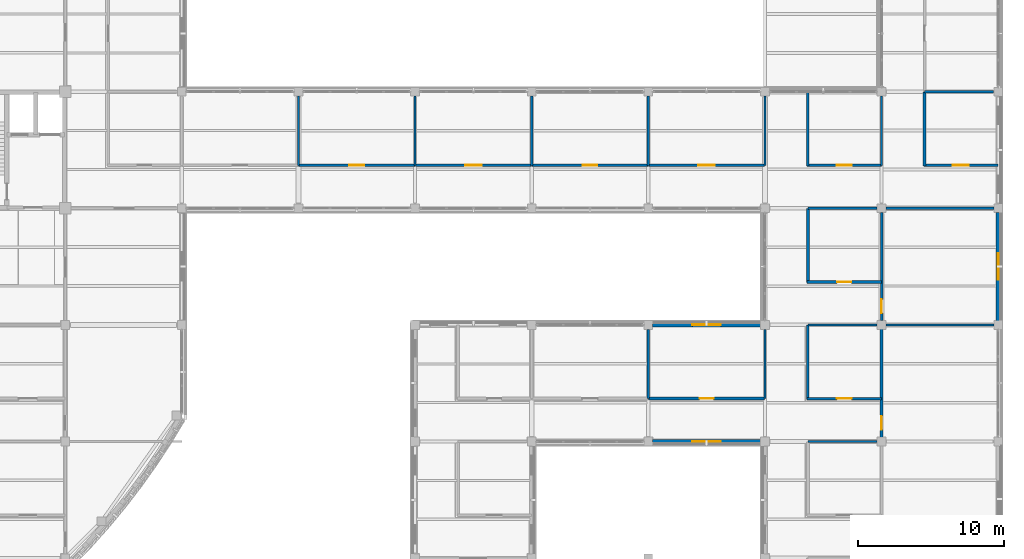
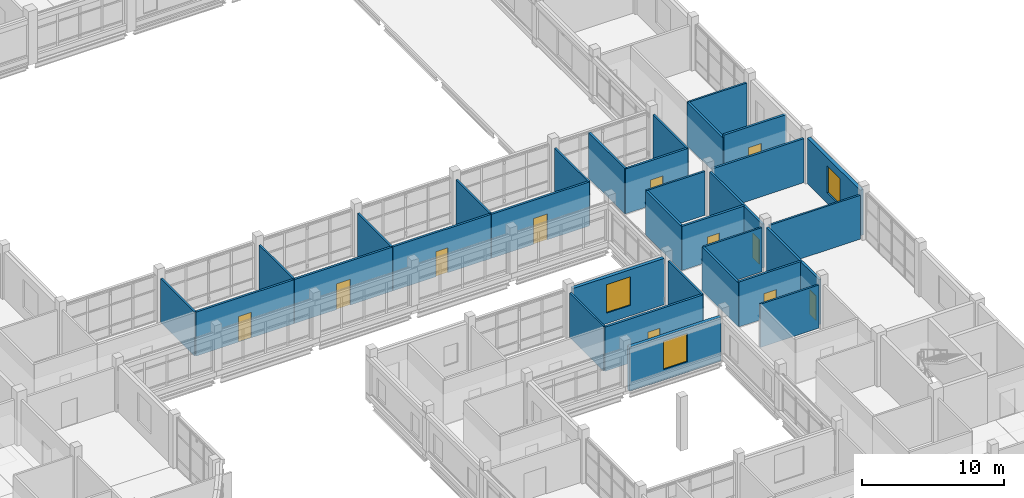
# One storey, part 94 of 121: 32 walls, 11 doors, 3 windows, 14 openings.
"""IFC4 building model written with IfcOpenShell, lengths in metres."""

from ifc_helpers import new_model, si_unit, derived_unit, direction, frame, frame_2d, origin, place, context, subcontext, project, spatial, rectangle, extrude, material, layer, layer_set, type_object, element, fill, save


model = new_model("IFC4")

# Units and contexts
model_context = context("Model", 3, precision=1e-05, world=origin(), true_north=direction((0.0, 1.0)))
body_context = subcontext(model_context, "Body", "Model", "MODEL_VIEW")
ifc_project = project(units=[si_unit("LENGTHUNIT", "METRE"), si_unit("AREAUNIT", "SQUARE_METRE"), si_unit("VOLUMEUNIT", "CUBIC_METRE"), si_unit("PLANEANGLEUNIT", "RADIAN"), si_unit("MASSUNIT", "GRAM", prefix="KILO"), derived_unit("THERMALTRANSMITTANCEUNIT", [(si_unit("MASSUNIT", "GRAM", prefix="KILO"), 1), (si_unit("TIMEUNIT", "SECOND"), -3), (si_unit("THERMODYNAMICTEMPERATUREUNIT", "KELVIN"), -1)])], contexts=[model_context])

# Site, building, storey
site_placement = place(None, origin())
site = spatial("IfcSite", under=ifc_project, at=site_placement, CompositionType="ELEMENT")
building_placement = place(site_placement, origin())
building = spatial("IfcBuilding", under=site, at=building_placement, Name="Veyamyaing Civic Hall", CompositionType="ELEMENT")
storey_placement = place(building_placement, frame((0.0, 0.0, 5.280029296875)))
storey = spatial("IfcBuildingStorey", under=building, at=storey_placement, Name="L01", CompositionType="ELEMENT", Elevation=5.280029296875)

# Wall, opening, window
ifc_material_1 = material(Name="Precast concrete C40/50", Category="concrete")
ifc_layer_1 = layer(ifc_material_1, 0.280029296875, Name="Precast concrete C40/50")
ifc_layer_set_1 = layer_set([ifc_layer_1], Name="Precast concrete C40/50")
wall_type_1 = type_object("IfcWallType", Name="WT-04", PredefinedType="SOLIDWALL", material=ifc_layer_set_1)
wall_1_placement = place(storey_placement, frame((176.0, 40.284912109375, 0.0), z_axis=(0.0, 0.0, 1.0), x_axis=(0.0, 1.0, 0.0)))
wall_1 = element("IfcWall", 1, at=wall_1_placement, inside=storey, type_object=wall_type_1, Name="Exterior facade wall WT-04 L01 E 22.6", PredefinedType="SOLIDWALL", context=body_context, shape_type="SweptSolid", body=[
    extrude(rectangle(XDim=7.43017578125, YDim=0.280029296875, at=frame_2d((3.715087890625, 0.0))), origin(), (0.0, 0.0, 1.0), 3.909912109375),
])
opening_1_placement = place(wall_1_placement, frame((2.81494140625, 0.0, 0.89990234375)))
opening_1 = element("IfcOpeningElement", 2, at=opening_1_placement, cuts=wall_1, Name="Opening W-06", PredefinedType="OPENING", context=body_context, shape_type="SweptSolid", body=[
    extrude(rectangle(XDim=1.800048828125, YDim=2.300048828125, at=frame_2d((0.89990234375, 1.14990234375))), frame((0.0, 0.14990234375, 0.0), z_axis=(0.0, -1.0, 0.0), x_axis=(1.0, 0.0, 0.0)), (0.0, 0.0, 1.0), 0.300048828125),
])
ifc_material_2 = material(Name="Low-E insulated glass", Category="glass")
window_type_1 = type_object("IfcWindowType", Name="W-06", PartitioningType="SINGLE_PANEL", PredefinedType="WINDOW", material=ifc_material_2)
window_1_placement = place(opening_1_placement, origin())
window_1 = element("IfcWindow", 3, at=window_1_placement, inside=storey, type_object=window_type_1, Name="Facade window W-06 L01 E 22.6", OverallHeight=2.300048828125, OverallWidth=1.800048828125, PartitioningType="SINGLE_PANEL", PredefinedType="WINDOW", context=body_context, shape_type="SweptSolid", body=[
    extrude(rectangle(XDim=1.800048828125, YDim=2.300048828125, at=frame_2d((0.89990234375, 1.14990234375))), frame((0.0, 0.030029296875, 0.0), z_axis=(0.0, -1.0, 0.0), x_axis=(1.0, 0.0, 0.0)), (0.0, 0.0, 1.0), 0.06005859375),
])
fill(opening_1, window_1)

# Wall, opening, door
ifc_material_3 = material(Name="Gypsum board on acoustic steel stud", Category="steel")
ifc_layer_2 = layer(ifc_material_3, 0.175048828125, Name="Gypsum board on acoustic steel stud")
ifc_layer_set_2 = layer_set([ifc_layer_2], Name="Gypsum board on acoustic steel stud")
wall_type_2 = type_object("IfcWallType", Name="WT-07", PredefinedType="PARTITIONING", material=ifc_layer_set_2)
wall_2_placement = place(storey_placement, frame((128.02001953125, 50.949951171875, 0.0), z_axis=(0.0, 0.0, 1.0), x_axis=(1.0, 0.0, 0.0)))
wall_2 = element("IfcWall", 4, at=wall_2_placement, inside=storey, type_object=wall_type_2, Name="Corridor gallery partition WT-07 L01.61.1", PredefinedType="PARTITIONING", context=body_context, shape_type="SweptSolid", body=[
    extrude(rectangle(XDim=7.9599609375, YDim=0.175048828125, at=frame_2d((3.97998046875, 0.0))), origin(), (0.0, 0.0, 1.0), 3.781005859375),
])
opening_2_placement = place(wall_2_placement, frame((3.469970703125, 0.0, 0.0)))
opening_2 = element("IfcOpeningElement", 5, at=opening_2_placement, cuts=wall_2, Name="Opening D-19", PredefinedType="OPENING", context=body_context, shape_type="SweptSolid", body=[
    extrude(rectangle(XDim=1.02001953125, YDim=2.199951171875, at=frame_2d((0.510009765625, 1.10009765625))), frame((0.0, 0.097412109375, 0.0), z_axis=(0.0, -1.0, 0.0), x_axis=(1.0, 0.0, 0.0)), (0.0, 0.0, 1.0), 0.195068359375),
])
ifc_material_4 = material(Name="Teak-veneered acoustic timber", Category="wood")
door_type_1 = type_object("IfcDoorType", Name="D-19", OperationType="NOTDEFINED", PredefinedType="DOOR", material=ifc_material_4)
door_1_placement = place(opening_2_placement, origin())
door_1 = element("IfcDoor", 6, at=door_1_placement, inside=storey, type_object=door_type_1, Name="Gallery office door D-19 L01.61", OperationType="SINGLE_SWING_LEFT", OverallHeight=2.199951171875, OverallWidth=1.02001953125, PredefinedType="DOOR", context=body_context, shape_type="SweptSolid", body=[
    extrude(rectangle(XDim=1.02001953125, YDim=2.199951171875, at=frame_2d((0.510009765625, 1.10009765625))), frame((0.0, 0.02490234375, 0.0), z_axis=(0.0, -1.0, 0.0), x_axis=(1.0, 0.0, 0.0)), (0.0, 0.0, 1.0), 0.050048828125),
])
fill(opening_2, door_1)

wall_3_placement = place(storey_placement, frame((136.02001953125, 50.949951171875, 0.0), z_axis=(0.0, 0.0, 1.0), x_axis=(1.0, 0.0, 0.0)))
wall_3 = element("IfcWall", 7, at=wall_3_placement, inside=storey, type_object=wall_type_2, Name="Corridor gallery partition WT-07 L01.65.1", PredefinedType="PARTITIONING", context=body_context, shape_type="SweptSolid", body=[
    extrude(rectangle(XDim=7.9599609375, YDim=0.175048828125, at=frame_2d((3.97998046875, 0.0))), origin(), (0.0, 0.0, 1.0), 3.786865234375),
])
opening_3_placement = place(wall_3_placement, frame((3.419921875, 0.0, 0.0)))
opening_3 = element("IfcOpeningElement", 8, at=opening_3_placement, cuts=wall_3, Name="Opening D-26", PredefinedType="OPENING", context=body_context, shape_type="SweptSolid", body=[
    extrude(rectangle(XDim=1.1201171875, YDim=2.219970703125, at=frame_2d((0.56005859375, 1.10986328125))), frame((0.0, 0.097412109375, 0.0), z_axis=(0.0, -1.0, 0.0), x_axis=(1.0, 0.0, 0.0)), (0.0, 0.0, 1.0), 0.195068359375),
])
door_type_2 = type_object("IfcDoorType", Name="D-26", OperationType="NOTDEFINED", PredefinedType="DOOR", material=ifc_material_4)
door_2_placement = place(opening_3_placement, origin())
door_2 = element("IfcDoor", 9, at=door_2_placement, inside=storey, type_object=door_type_2, Name="Gallery office door D-26 L01.65", OperationType="SINGLE_SWING_LEFT", OverallHeight=2.219970703125, OverallWidth=1.1201171875, PredefinedType="DOOR", context=body_context, shape_type="SweptSolid", body=[
    extrude(rectangle(XDim=1.1201171875, YDim=2.219970703125, at=frame_2d((0.56005859375, 1.10986328125))), frame((0.0, 0.02490234375, 0.0), z_axis=(0.0, -1.0, 0.0), x_axis=(1.0, 0.0, 0.0)), (0.0, 0.0, 1.0), 0.050048828125),
])
fill(opening_3, door_2)

wall_4_placement = place(storey_placement, frame((144.02001953125, 50.949951171875, 0.0), z_axis=(0.0, 0.0, 1.0), x_axis=(1.0, 0.0, 0.0)))
wall_4 = element("IfcWall", 10, at=wall_4_placement, inside=storey, type_object=wall_type_2, Name="Corridor gallery partition WT-07 L01.69.1", PredefinedType="PARTITIONING", context=body_context, shape_type="SweptSolid", body=[
    extrude(rectangle(XDim=7.9599609375, YDim=0.175048828125, at=frame_2d((3.97998046875, 0.0))), origin(), (0.0, 0.0, 1.0), 3.786865234375),
])
opening_4_placement = place(wall_4_placement, frame((3.47998046875, 0.0, 0.0)))
opening_4 = element("IfcOpeningElement", 11, at=opening_4_placement, cuts=wall_4, Name="Opening D-13", PredefinedType="OPENING", context=body_context, shape_type="SweptSolid", body=[
    extrude(rectangle(XDim=1.0, YDim=2.14990234375, at=frame_2d((0.5, 1.074951171875))), frame((0.0, 0.097412109375, 0.0), z_axis=(0.0, -1.0, 0.0), x_axis=(1.0, 0.0, 0.0)), (0.0, 0.0, 1.0), 0.195068359375),
])
door_type_3 = type_object("IfcDoorType", Name="D-13", OperationType="NOTDEFINED", PredefinedType="DOOR", material=ifc_material_4)
door_3_placement = place(opening_4_placement, origin())
door_3 = element("IfcDoor", 12, at=door_3_placement, inside=storey, type_object=door_type_3, Name="Gallery office door D-13 L01.69", OperationType="SINGLE_SWING_LEFT", OverallHeight=2.14990234375, OverallWidth=1.0, PredefinedType="DOOR", context=body_context, shape_type="SweptSolid", body=[
    extrude(rectangle(XDim=1.0, YDim=2.14990234375, at=frame_2d((0.5, 1.074951171875))), frame((0.0, 0.02490234375, 0.0), z_axis=(0.0, -1.0, 0.0), x_axis=(1.0, 0.0, 0.0)), (0.0, 0.0, 1.0), 0.050048828125),
])
fill(opening_4, door_3)

wall_5_placement = place(storey_placement, frame((152.02001953125, 50.949951171875, 0.0), z_axis=(0.0, 0.0, 1.0), x_axis=(1.0, 0.0, 0.0)))
wall_5 = element("IfcWall", 13, at=wall_5_placement, inside=storey, type_object=wall_type_2, Name="Corridor gallery partition WT-07 L01.75.1", PredefinedType="PARTITIONING", context=body_context, shape_type="SweptSolid", body=[
    extrude(rectangle(XDim=7.9599609375, YDim=0.175048828125, at=frame_2d((3.97998046875, 0.0))), origin(), (0.0, 0.0, 1.0), 3.781005859375),
])
opening_5_placement = place(wall_5_placement, frame((3.419921875, 0.0, 0.0)))
opening_5 = element("IfcOpeningElement", 14, at=opening_5_placement, cuts=wall_5, Name="Opening D-26", PredefinedType="OPENING", context=body_context, shape_type="SweptSolid", body=[
    extrude(rectangle(XDim=1.1201171875, YDim=2.219970703125, at=frame_2d((0.56005859375, 1.10986328125))), frame((0.0, 0.097412109375, 0.0), z_axis=(0.0, -1.0, 0.0), x_axis=(1.0, 0.0, 0.0)), (0.0, 0.0, 1.0), 0.195068359375),
])
door_4_placement = place(opening_5_placement, origin())
door_4 = element("IfcDoor", 15, at=door_4_placement, inside=storey, type_object=door_type_2, Name="Gallery office door D-26 L01.75", OperationType="SINGLE_SWING_LEFT", OverallHeight=2.219970703125, OverallWidth=1.1201171875, PredefinedType="DOOR", context=body_context, shape_type="SweptSolid", body=[
    extrude(rectangle(XDim=1.1201171875, YDim=2.219970703125, at=frame_2d((0.56005859375, 1.10986328125))), frame((0.0, 0.02490234375, 0.0), z_axis=(0.0, -1.0, 0.0), x_axis=(1.0, 0.0, 0.0)), (0.0, 0.0, 1.0), 0.050048828125),
])
fill(opening_5, door_4)

wall_6_placement = place(storey_placement, frame((162.89990234375, 34.949951171875, 0.0), z_axis=(0.0, 0.0, 1.0), x_axis=(1.0, 0.0, 0.0)))
wall_6 = element("IfcWall", 16, at=wall_6_placement, inside=storey, type_object=wall_type_2, Name="Corridor gallery partition WT-07 L01.79.1", PredefinedType="PARTITIONING", context=body_context, shape_type="SweptSolid", body=[
    extrude(rectangle(XDim=5.080078125, YDim=0.175048828125, at=frame_2d((2.5400390625, 0.0))), origin(), (0.0, 0.0, 1.0), 3.85693359375),
])
opening_6_placement = place(wall_6_placement, frame((2.0400390625, 0.0, 0.0)))
opening_6 = element("IfcOpeningElement", 17, at=opening_6_placement, cuts=wall_6, Name="Opening D-13", PredefinedType="OPENING", context=body_context, shape_type="SweptSolid", body=[
    extrude(rectangle(XDim=1.0, YDim=2.14990234375, at=frame_2d((0.5, 1.074951171875))), frame((0.0, 0.097412109375, 0.0), z_axis=(0.0, -1.0, 0.0), x_axis=(1.0, 0.0, 0.0)), (0.0, 0.0, 1.0), 0.195068359375),
])
door_5_placement = place(opening_6_placement, origin())
door_5 = element("IfcDoor", 18, at=door_5_placement, inside=storey, type_object=door_type_3, Name="Gallery office door D-13 L01.79", OperationType="SINGLE_SWING_LEFT", OverallHeight=2.14990234375, OverallWidth=1.0, PredefinedType="DOOR", context=body_context, shape_type="SweptSolid", body=[
    extrude(rectangle(XDim=1.0, YDim=2.14990234375, at=frame_2d((0.5, 1.074951171875))), frame((0.0, 0.02490234375, 0.0), z_axis=(0.0, -1.0, 0.0), x_axis=(1.0, 0.0, 0.0)), (0.0, 0.0, 1.0), 0.050048828125),
])
fill(opening_6, door_5)

# Wall
wall_7_placement = place(storey_placement, frame((162.949951171875, 34.89990234375, 0.0), z_axis=(0.0, 0.0, 1.0), x_axis=(0.0, 1.0, 0.0)))
element("IfcWall", 19, at=wall_7_placement, inside=storey, type_object=wall_type_2, Name="Corridor gallery partition WT-07 L01.79.2", PredefinedType="PARTITIONING", context=body_context, shape_type="SweptSolid", body=[
    extrude(rectangle(XDim=5.080078125, YDim=0.175048828125, at=frame_2d((2.5400390625, 0.0))), origin(), (0.0, 0.0, 1.0), 3.786865234375),
])

# Wall, opening, door
wall_8_placement = place(storey_placement, frame((162.89990234375, 50.949951171875, 0.0), z_axis=(0.0, 0.0, 1.0), x_axis=(1.0, 0.0, 0.0)))
wall_8 = element("IfcWall", 20, at=wall_8_placement, inside=storey, type_object=wall_type_2, Name="Corridor gallery partition WT-07 L01.81.1", PredefinedType="PARTITIONING", context=body_context, shape_type="SweptSolid", body=[
    extrude(rectangle(XDim=5.080078125, YDim=0.175048828125, at=frame_2d((2.5400390625, 0.0))), origin(), (0.0, 0.0, 1.0), 3.85107421875),
])
opening_7_placement = place(wall_8_placement, frame((2.030029296875, 0.0, 0.0)))
opening_7 = element("IfcOpeningElement", 21, at=opening_7_placement, cuts=wall_8, Name="Opening D-19", PredefinedType="OPENING", context=body_context, shape_type="SweptSolid", body=[
    extrude(rectangle(XDim=1.02001953125, YDim=2.199951171875, at=frame_2d((0.510009765625, 1.10009765625))), frame((0.0, 0.097412109375, 0.0), z_axis=(0.0, -1.0, 0.0), x_axis=(1.0, 0.0, 0.0)), (0.0, 0.0, 1.0), 0.195068359375),
])
door_6_placement = place(opening_7_placement, origin())
door_6 = element("IfcDoor", 22, at=door_6_placement, inside=storey, type_object=door_type_1, Name="Gallery office door D-19 L01.81", OperationType="SINGLE_SWING_LEFT", OverallHeight=2.199951171875, OverallWidth=1.02001953125, PredefinedType="DOOR", context=body_context, shape_type="SweptSolid", body=[
    extrude(rectangle(XDim=1.02001953125, YDim=2.199951171875, at=frame_2d((0.510009765625, 1.10009765625))), frame((0.0, 0.02490234375, 0.0), z_axis=(0.0, -1.0, 0.0), x_axis=(1.0, 0.0, 0.0)), (0.0, 0.0, 1.0), 0.050048828125),
])
fill(opening_7, door_6)

# Wall
wall_9_placement = place(storey_placement, frame((162.949951171875, 50.89990234375, 0.0), z_axis=(0.0, 0.0, 1.0), x_axis=(0.0, 1.0, 0.0)))
element("IfcWall", 23, at=wall_9_placement, inside=storey, type_object=wall_type_2, Name="Corridor gallery partition WT-07 L01.81.2", PredefinedType="PARTITIONING", context=body_context, shape_type="SweptSolid", body=[
    extrude(rectangle(XDim=5.080078125, YDim=0.175048828125, at=frame_2d((2.5400390625, 0.0))), origin(), (0.0, 0.0, 1.0), 3.903076171875),
])

# Wall, opening, door
wall_10_placement = place(storey_placement, frame((168.0, 40.2900390625, 0.0), z_axis=(0.0, 0.0, 1.0), x_axis=(0.0, 1.0, 0.0)))
wall_10 = element("IfcWall", 24, at=wall_10_placement, inside=storey, type_object=wall_type_2, Name="Interior partition wall WT-07 L01.109", PredefinedType="PARTITIONING", context=body_context, shape_type="SweptSolid", body=[
    extrude(rectangle(XDim=7.419921875, YDim=0.175048828125, at=frame_2d((3.7099609375, 0.0))), origin(), (0.0, 0.0, 1.0), 3.781005859375),
])
opening_8_placement = place(wall_10_placement, frame((0.52001953125, 0.0, 0.0)))
opening_8 = element("IfcOpeningElement", 25, at=opening_8_placement, cuts=wall_10, Name="Opening D-30", PredefinedType="OPENING", context=body_context, shape_type="SweptSolid", body=[
    extrude(rectangle(XDim=0.93994140625, YDim=2.1201171875, at=frame_2d((0.469970703125, 1.06005859375))), frame((0.0, 0.097412109375, 0.0), z_axis=(0.0, -1.0, 0.0), x_axis=(1.0, 0.0, 0.0)), (0.0, 0.0, 1.0), 0.195068359375),
])
door_type_4 = type_object("IfcDoorType", Name="D-30", OperationType="NOTDEFINED", PredefinedType="DOOR", material=ifc_material_4)
door_7_placement = place(opening_8_placement, frame((0.93994140625, 0.0, 0.0), z_axis=(0.0, 0.0, 1.0), x_axis=(-1.0, 0.0, 0.0)))
door_7 = element("IfcDoor", 26, at=door_7_placement, inside=storey, type_object=door_type_4, Name="Interior door D-30 L01.109", OperationType="SINGLE_SWING_RIGHT", OverallHeight=2.1201171875, OverallWidth=0.93994140625, PredefinedType="DOOR", context=body_context, shape_type="SweptSolid", body=[
    extrude(rectangle(XDim=0.93994140625, YDim=2.1201171875, at=frame_2d((0.469970703125, 1.06005859375))), frame((0.0, 0.02490234375, 0.0), z_axis=(0.0, -1.0, 0.0), x_axis=(1.0, 0.0, 0.0)), (0.0, 0.0, 1.0), 0.050048828125),
])
fill(opening_8, door_7)

# Walls
wall_11_placement = place(storey_placement, frame((168.2900390625, 48.0, 0.0), z_axis=(0.0, 0.0, 1.0), x_axis=(1.0, 0.0, 0.0)))
element("IfcWall", 27, at=wall_11_placement, inside=storey, type_object=wall_type_2, Name="Interior partition wall WT-07 L01.115", PredefinedType="PARTITIONING", context=body_context, shape_type="SweptSolid", body=[
    extrude(rectangle(XDim=7.419921875, YDim=0.175048828125, at=frame_2d((3.7099609375, 0.0))), origin(), (0.0, 0.0, 1.0), 3.781005859375),
])
ifc_material_5 = material(Name="Gypsum board on steel stud", Category="steel")
ifc_layer_3 = layer(ifc_material_5, 0.14990234375, Name="Gypsum board on steel stud")
ifc_layer_set_3 = layer_set([ifc_layer_3], Name="Gypsum board on steel stud")
wall_type_3 = type_object("IfcWallType", Name="WT-08", PredefinedType="PARTITIONING", material=ifc_layer_set_3)
wall_12_placement = place(storey_placement, frame((128.0, 50.949951171875, 0.0), z_axis=(0.0, 0.0, 1.0), x_axis=(0.0, 1.0, 0.0)))
element("IfcWall", 28, at=wall_12_placement, inside=storey, type_object=wall_type_3, Name="Gallery office end partition WT-08 L01.60.2", PredefinedType="PARTITIONING", context=body_context, shape_type="SweptSolid", body=[
    extrude(rectangle(XDim=4.739990234375, YDim=0.14990234375, at=frame_2d((2.3701171875, 0.0))), origin(), (0.0, 0.0, 1.0), 3.781005859375),
])
wall_13_placement = place(storey_placement, frame((136.0, 50.949951171875, 0.0), z_axis=(0.0, 0.0, 1.0), x_axis=(0.0, 1.0, 0.0)))
element("IfcWall", 29, at=wall_13_placement, inside=storey, type_object=wall_type_3, Name="Gallery office end partition WT-08 L01.61.2", PredefinedType="PARTITIONING", context=body_context, shape_type="SweptSolid", body=[
    extrude(rectangle(XDim=4.739990234375, YDim=0.14990234375, at=frame_2d((2.3701171875, 0.0))), origin(), (0.0, 0.0, 1.0), 3.85107421875),
])
wall_14_placement = place(storey_placement, frame((144.0, 50.949951171875, 0.0), z_axis=(0.0, 0.0, 1.0), x_axis=(0.0, 1.0, 0.0)))
element("IfcWall", 30, at=wall_14_placement, inside=storey, type_object=wall_type_3, Name="Gallery office end partition WT-08 L01.65.2", PredefinedType="PARTITIONING", context=body_context, shape_type="SweptSolid", body=[
    extrude(rectangle(XDim=4.739990234375, YDim=0.14990234375, at=frame_2d((2.3701171875, 0.0))), origin(), (0.0, 0.0, 1.0), 3.786865234375),
])
wall_15_placement = place(storey_placement, frame((152.0, 34.949951171875, 0.0), z_axis=(0.0, 0.0, 1.0), x_axis=(0.0, 1.0, 0.0)))
element("IfcWall", 31, at=wall_15_placement, inside=storey, type_object=wall_type_3, Name="Gallery office end partition WT-08 L01.68.2", PredefinedType="PARTITIONING", context=body_context, shape_type="SweptSolid", body=[
    extrude(rectangle(XDim=4.739990234375, YDim=0.14990234375, at=frame_2d((2.3701171875, 0.0))), origin(), (0.0, 0.0, 1.0), 3.85107421875),
])
wall_16_placement = place(storey_placement, frame((152.0, 50.949951171875, 0.0), z_axis=(0.0, 0.0, 1.0), x_axis=(0.0, 1.0, 0.0)))
element("IfcWall", 32, at=wall_16_placement, inside=storey, type_object=wall_type_3, Name="Gallery office end partition WT-08 L01.69.2", PredefinedType="PARTITIONING", context=body_context, shape_type="SweptSolid", body=[
    extrude(rectangle(XDim=4.739990234375, YDim=0.14990234375, at=frame_2d((2.3701171875, 0.0))), origin(), (0.0, 0.0, 1.0), 3.85693359375),
])
wall_17_placement = place(storey_placement, frame((160.0, 34.949951171875, 0.0), z_axis=(0.0, 0.0, 1.0), x_axis=(0.0, 1.0, 0.0)))
element("IfcWall", 33, at=wall_17_placement, inside=storey, type_object=wall_type_3, Name="Gallery office end partition WT-08 L01.74.2", PredefinedType="PARTITIONING", context=body_context, shape_type="SweptSolid", body=[
    extrude(rectangle(XDim=4.739990234375, YDim=0.14990234375, at=frame_2d((2.3701171875, 0.0))), origin(), (0.0, 0.0, 1.0), 3.786865234375),
])
wall_18_placement = place(storey_placement, frame((160.0, 50.949951171875, 0.0), z_axis=(0.0, 0.0, 1.0), x_axis=(0.0, 1.0, 0.0)))
element("IfcWall", 34, at=wall_18_placement, inside=storey, type_object=wall_type_3, Name="Gallery office end partition WT-08 L01.75.2", PredefinedType="PARTITIONING", context=body_context, shape_type="SweptSolid", body=[
    extrude(rectangle(XDim=4.739990234375, YDim=0.14990234375, at=frame_2d((2.3701171875, 0.0))), origin(), (0.0, 0.0, 1.0), 3.781005859375),
])
wall_19_placement = place(storey_placement, frame((162.949951171875, 32.0, 0.0), z_axis=(0.0, 0.0, 1.0), x_axis=(1.0, 0.0, 0.0)))
element("IfcWall", 35, at=wall_19_placement, inside=storey, type_object=wall_type_3, Name="Gallery office end partition WT-08 L01.78.1", PredefinedType="PARTITIONING", context=body_context, shape_type="SweptSolid", body=[
    extrude(rectangle(XDim=4.739990234375, YDim=0.14990234375, at=frame_2d((2.3701171875, 0.0))), origin(), (0.0, 0.0, 1.0), 3.7119140625),
])
wall_20_placement = place(storey_placement, frame((162.949951171875, 40.0, 0.0), z_axis=(0.0, 0.0, 1.0), x_axis=(1.0, 0.0, 0.0)))
element("IfcWall", 36, at=wall_20_placement, inside=storey, type_object=wall_type_3, Name="Gallery office end partition WT-08 L01.79.1", PredefinedType="PARTITIONING", context=body_context, shape_type="SweptSolid", body=[
    extrude(rectangle(XDim=4.739990234375, YDim=0.14990234375, at=frame_2d((2.3701171875, 0.0))), origin(), (0.0, 0.0, 1.0), 3.786865234375),
])
wall_21_placement = place(storey_placement, frame((162.949951171875, 48.0, 0.0), z_axis=(0.0, 0.0, 1.0), x_axis=(1.0, 0.0, 0.0)))
element("IfcWall", 37, at=wall_21_placement, inside=storey, type_object=wall_type_3, Name="Gallery office end partition WT-08 L01.80.1", PredefinedType="PARTITIONING", context=body_context, shape_type="SweptSolid", body=[
    extrude(rectangle(XDim=4.739990234375, YDim=0.14990234375, at=frame_2d((2.3701171875, 0.0))), origin(), (0.0, 0.0, 1.0), 3.77099609375),
])
wall_22_placement = place(storey_placement, frame((168.0, 50.949951171875, 0.0), z_axis=(0.0, 0.0, 1.0), x_axis=(0.0, 1.0, 0.0)))
element("IfcWall", 38, at=wall_22_placement, inside=storey, type_object=wall_type_3, Name="Gallery office end partition WT-08 L01.81.2", PredefinedType="PARTITIONING", context=body_context, shape_type="SweptSolid", body=[
    extrude(rectangle(XDim=4.739990234375, YDim=0.14990234375, at=frame_2d((2.3701171875, 0.0))), origin(), (0.0, 0.0, 1.0), 3.85107421875),
])
wall_23_placement = place(storey_placement, frame((170.949951171875, 56.0, 0.0), z_axis=(0.0, 0.0, 1.0), x_axis=(1.0, 0.0, 0.0)))
element("IfcWall", 39, at=wall_23_placement, inside=storey, type_object=wall_type_3, Name="Gallery office end partition WT-08 L01.82.1", PredefinedType="PARTITIONING", context=body_context, shape_type="SweptSolid", body=[
    extrude(rectangle(XDim=4.739990234375, YDim=0.14990234375, at=frame_2d((2.3701171875, 0.0))), origin(), (0.0, 0.0, 1.0), 3.7119140625),
])
wall_24_placement = place(storey_placement, frame((168.2900390625, 40.0, 0.0), z_axis=(0.0, 0.0, 1.0), x_axis=(1.0, 0.0, 0.0)))
element("IfcWall", 40, at=wall_24_placement, inside=storey, type_object=wall_type_3, Name="Interior partition wall WT-08 L01.114", PredefinedType="PARTITIONING", context=body_context, shape_type="SweptSolid", body=[
    extrude(rectangle(XDim=7.419921875, YDim=0.14990234375, at=frame_2d((3.7099609375, 0.0))), origin(), (0.0, 0.0, 1.0), 3.77099609375),
])

# Wall, opening, window
ifc_layer_4 = layer(ifc_material_1, 0.27001953125, Name="Precast concrete C40/50")
ifc_layer_set_4 = layer_set([ifc_layer_4], Name="Precast concrete C40/50")
wall_type_4 = type_object("IfcWallType", Name="WT-18", PredefinedType="SOLIDWALL", material=ifc_layer_set_4)
wall_25_placement = place(storey_placement, frame((152.284912109375, 32.0, 0.0), z_axis=(0.0, 0.0, 1.0), x_axis=(1.0, 0.0, 0.0)))
wall_25 = element("IfcWall", 41, at=wall_25_placement, inside=storey, type_object=wall_type_4, Name="Exterior facade wall WT-18 L01 S 20.5", PredefinedType="SOLIDWALL", context=body_context, shape_type="SweptSolid", body=[
    extrude(rectangle(XDim=7.43017578125, YDim=0.27001953125, at=frame_2d((3.715087890625, 0.0))), origin(), (0.0, 0.0, 1.0), 3.7880859375),
])
opening_9_placement = place(wall_25_placement, frame((2.739990234375, 0.0, 0.89990234375)))
opening_9 = element("IfcOpeningElement", 42, at=opening_9_placement, cuts=wall_25, Name="Opening W-26", PredefinedType="OPENING", context=body_context, shape_type="SweptSolid", body=[
    extrude(rectangle(XDim=1.949951171875, YDim=2.449951171875, at=frame_2d((0.97509765625, 1.22509765625))), frame((0.0, 0.14501953125, 0.0), z_axis=(0.0, -1.0, 0.0), x_axis=(1.0, 0.0, 0.0)), (0.0, 0.0, 1.0), 0.2900390625),
])
window_type_2 = type_object("IfcWindowType", Name="W-26", PartitioningType="SINGLE_PANEL", PredefinedType="WINDOW", material=ifc_material_2)
window_2_placement = place(opening_9_placement, origin())
window_2 = element("IfcWindow", 43, at=window_2_placement, inside=storey, type_object=window_type_2, Name="Facade window W-26 L01 S 20.5", OverallHeight=2.449951171875, OverallWidth=1.949951171875, PartitioningType="SINGLE_PANEL", PredefinedType="WINDOW", context=body_context, shape_type="SweptSolid", body=[
    extrude(rectangle(XDim=1.949951171875, YDim=2.449951171875, at=frame_2d((0.97509765625, 1.22509765625))), frame((0.0, 0.030029296875, 0.0), z_axis=(0.0, -1.0, 0.0), x_axis=(1.0, 0.0, 0.0)), (0.0, 0.0, 1.0), 0.06005859375),
])
fill(opening_9, window_2)

wall_26_placement = place(storey_placement, frame((152.284912109375, 40.0, 0.0), z_axis=(0.0, 0.0, 1.0), x_axis=(1.0, 0.0, 0.0)))
wall_26 = element("IfcWall", 44, at=wall_26_placement, inside=storey, type_object=wall_type_4, Name="Exterior facade wall WT-18 L01 N 20.5", PredefinedType="SOLIDWALL", context=body_context, shape_type="SweptSolid", body=[
    extrude(rectangle(XDim=7.43017578125, YDim=0.27001953125, at=frame_2d((3.715087890625, 0.0))), origin(), (0.0, 0.0, 1.0), 3.973876953125),
])
opening_10_placement = place(wall_26_placement, frame((2.739990234375, 0.0, 0.89990234375)))
opening_10 = element("IfcOpeningElement", 45, at=opening_10_placement, cuts=wall_26, Name="Opening W-26", PredefinedType="OPENING", context=body_context, shape_type="SweptSolid", body=[
    extrude(rectangle(XDim=1.949951171875, YDim=2.449951171875, at=frame_2d((0.97509765625, 1.22509765625))), frame((0.0, 0.14501953125, 0.0), z_axis=(0.0, -1.0, 0.0), x_axis=(1.0, 0.0, 0.0)), (0.0, 0.0, 1.0), 0.2900390625),
])
window_3_placement = place(opening_10_placement, origin())
window_3 = element("IfcWindow", 46, at=window_3_placement, inside=storey, type_object=window_type_2, Name="Facade window W-26 L01 N 20.5", OverallHeight=2.449951171875, OverallWidth=1.949951171875, PartitioningType="SINGLE_PANEL", PredefinedType="WINDOW", context=body_context, shape_type="SweptSolid", body=[
    extrude(rectangle(XDim=1.949951171875, YDim=2.449951171875, at=frame_2d((0.97509765625, 1.22509765625))), frame((0.0, 0.030029296875, 0.0), z_axis=(0.0, -1.0, 0.0), x_axis=(1.0, 0.0, 0.0)), (0.0, 0.0, 1.0), 0.06005859375),
])
fill(opening_10, window_3)

# Wall, opening, door
ifc_material_6 = material(Name="Gypsum board on double acoustic stud")
ifc_layer_5 = layer(ifc_material_6, 0.18505859375, Name="Gypsum board on double acoustic stud")
ifc_layer_set_5 = layer_set([ifc_layer_5], Name="Gypsum board on double acoustic stud")
wall_type_5 = type_object("IfcWallType", Name="WT-19", PredefinedType="PARTITIONING", material=ifc_layer_set_5)
wall_27_placement = place(storey_placement, frame((152.02001953125, 34.949951171875, 0.0), z_axis=(0.0, 0.0, 1.0), x_axis=(1.0, 0.0, 0.0)))
wall_27 = element("IfcWall", 47, at=wall_27_placement, inside=storey, type_object=wall_type_5, Name="Corridor gallery partition WT-19 L01.74.1", PredefinedType="PARTITIONING", context=body_context, shape_type="SweptSolid", body=[
    extrude(rectangle(XDim=7.9599609375, YDim=0.18505859375, at=frame_2d((3.97998046875, 0.0))), origin(), (0.0, 0.0, 1.0), 3.786865234375),
])
opening_11_placement = place(wall_27_placement, frame((3.5, 0.0, 0.0)))
opening_11 = element("IfcOpeningElement", 48, at=opening_11_placement, cuts=wall_27, Name="Opening D-25", PredefinedType="OPENING", context=body_context, shape_type="SweptSolid", body=[
    extrude(rectangle(XDim=0.9599609375, YDim=2.139892578125, at=frame_2d((0.47998046875, 1.06982421875))), frame((0.0, 0.1025390625, 0.0), z_axis=(0.0, -1.0, 0.0), x_axis=(1.0, 0.0, 0.0)), (0.0, 0.0, 1.0), 0.205078125),
])
door_type_5 = type_object("IfcDoorType", Name="D-25", OperationType="NOTDEFINED", PredefinedType="DOOR", material=ifc_material_4)
door_8_placement = place(opening_11_placement, origin())
door_8 = element("IfcDoor", 49, at=door_8_placement, inside=storey, type_object=door_type_5, Name="Gallery office door D-25 L01.74", OperationType="SINGLE_SWING_RIGHT", OverallHeight=2.139892578125, OverallWidth=0.9599609375, PredefinedType="DOOR", context=body_context, shape_type="SweptSolid", body=[
    extrude(rectangle(XDim=0.9599609375, YDim=2.139892578125, at=frame_2d((0.47998046875, 1.06982421875))), frame((0.0, 0.02490234375, 0.0), z_axis=(0.0, -1.0, 0.0), x_axis=(1.0, 0.0, 0.0)), (0.0, 0.0, 1.0), 0.050048828125),
])
fill(opening_11, door_8)

wall_28_placement = place(storey_placement, frame((162.89990234375, 42.949951171875, 0.0), z_axis=(0.0, 0.0, 1.0), x_axis=(1.0, 0.0, 0.0)))
wall_28 = element("IfcWall", 50, at=wall_28_placement, inside=storey, type_object=wall_type_5, Name="Corridor gallery partition WT-19 L01.80.1", PredefinedType="PARTITIONING", context=body_context, shape_type="SweptSolid", body=[
    extrude(rectangle(XDim=5.080078125, YDim=0.18505859375, at=frame_2d((2.5400390625, 0.0))), origin(), (0.0, 0.0, 1.0), 3.781005859375),
])
opening_12_placement = place(wall_28_placement, frame((2.050048828125, 0.0, 0.0)))
opening_12 = element("IfcOpeningElement", 51, at=opening_12_placement, cuts=wall_28, Name="Opening D-14", PredefinedType="OPENING", context=body_context, shape_type="SweptSolid", body=[
    extrude(rectangle(XDim=0.97998046875, YDim=2.14990234375, at=frame_2d((0.489990234375, 1.074951171875))), frame((0.0, 0.1025390625, 0.0), z_axis=(0.0, -1.0, 0.0), x_axis=(1.0, 0.0, 0.0)), (0.0, 0.0, 1.0), 0.205078125),
])
door_type_6 = type_object("IfcDoorType", Name="D-14", OperationType="NOTDEFINED", PredefinedType="DOOR", material=ifc_material_4)
door_9_placement = place(opening_12_placement, origin())
door_9 = element("IfcDoor", 52, at=door_9_placement, inside=storey, type_object=door_type_6, Name="Gallery office door D-14 L01.80", OperationType="SINGLE_SWING_RIGHT", OverallHeight=2.14990234375, OverallWidth=0.97998046875, PredefinedType="DOOR", context=body_context, shape_type="SweptSolid", body=[
    extrude(rectangle(XDim=0.97998046875, YDim=2.14990234375, at=frame_2d((0.489990234375, 1.074951171875))), frame((0.0, 0.02490234375, 0.0), z_axis=(0.0, -1.0, 0.0), x_axis=(1.0, 0.0, 0.0)), (0.0, 0.0, 1.0), 0.050048828125),
])
fill(opening_12, door_9)

# Wall
wall_29_placement = place(storey_placement, frame((162.949951171875, 42.89990234375, 0.0), z_axis=(0.0, 0.0, 1.0), x_axis=(0.0, 1.0, 0.0)))
element("IfcWall", 53, at=wall_29_placement, inside=storey, type_object=wall_type_5, Name="Corridor gallery partition WT-19 L01.80.2", PredefinedType="PARTITIONING", context=body_context, shape_type="SweptSolid", body=[
    extrude(rectangle(XDim=5.080078125, YDim=0.18505859375, at=frame_2d((2.5400390625, 0.0))), origin(), (0.0, 0.0, 1.0), 3.77099609375),
])

# Wall, opening, door
wall_30_placement = place(storey_placement, frame((170.89990234375, 50.949951171875, 0.0), z_axis=(0.0, 0.0, 1.0), x_axis=(1.0, 0.0, 0.0)))
wall_30 = element("IfcWall", 54, at=wall_30_placement, inside=storey, type_object=wall_type_5, Name="Corridor gallery partition WT-19 L01.82.1", PredefinedType="PARTITIONING", context=body_context, shape_type="SweptSolid", body=[
    extrude(rectangle(XDim=5.080078125, YDim=0.18505859375, at=frame_2d((2.5400390625, 0.0))), origin(), (0.0, 0.0, 1.0), 3.967041015625),
])
opening_13_placement = place(wall_30_placement, frame((2.0, 0.0, 0.0)))
opening_13 = element("IfcOpeningElement", 55, at=opening_13_placement, cuts=wall_30, Name="Opening D-23", PredefinedType="OPENING", context=body_context, shape_type="SweptSolid", body=[
    extrude(rectangle(XDim=1.080078125, YDim=2.199951171875, at=frame_2d((0.5400390625, 1.10009765625))), frame((0.0, 0.1025390625, 0.0), z_axis=(0.0, -1.0, 0.0), x_axis=(1.0, 0.0, 0.0)), (0.0, 0.0, 1.0), 0.205078125),
])
door_type_7 = type_object("IfcDoorType", Name="D-23", OperationType="NOTDEFINED", PredefinedType="DOOR", material=ifc_material_4)
door_10_placement = place(opening_13_placement, origin())
door_10 = element("IfcDoor", 56, at=door_10_placement, inside=storey, type_object=door_type_7, Name="Gallery office door D-23 L01.82", OperationType="SINGLE_SWING_RIGHT", OverallHeight=2.199951171875, OverallWidth=1.080078125, PredefinedType="DOOR", context=body_context, shape_type="SweptSolid", body=[
    extrude(rectangle(XDim=1.080078125, YDim=2.199951171875, at=frame_2d((0.5400390625, 1.10009765625))), frame((0.0, 0.02490234375, 0.0), z_axis=(0.0, -1.0, 0.0), x_axis=(1.0, 0.0, 0.0)), (0.0, 0.0, 1.0), 0.050048828125),
])
fill(opening_13, door_10)

# Wall
wall_31_placement = place(storey_placement, frame((170.949951171875, 50.89990234375, 0.0), z_axis=(0.0, 0.0, 1.0), x_axis=(0.0, 1.0, 0.0)))
element("IfcWall", 57, at=wall_31_placement, inside=storey, type_object=wall_type_5, Name="Corridor gallery partition WT-19 L01.82.2", PredefinedType="PARTITIONING", context=body_context, shape_type="SweptSolid", body=[
    extrude(rectangle(XDim=5.080078125, YDim=0.18505859375, at=frame_2d((2.5400390625, 0.0))), origin(), (0.0, 0.0, 1.0), 3.7119140625),
])

# Wall, opening, door
wall_32_placement = place(storey_placement, frame((168.0, 32.2900390625, 0.0), z_axis=(0.0, 0.0, 1.0), x_axis=(0.0, 1.0, 0.0)))
wall_32 = element("IfcWall", 58, at=wall_32_placement, inside=storey, type_object=wall_type_5, Name="Interior partition wall WT-19 L01.108", PredefinedType="PARTITIONING", context=body_context, shape_type="SweptSolid", body=[
    extrude(rectangle(XDim=7.419921875, YDim=0.18505859375, at=frame_2d((3.7099609375, 0.0))), origin(), (0.0, 0.0, 1.0), 3.85693359375),
])
opening_14_placement = place(wall_32_placement, frame((0.52001953125, 0.0, 0.0)))
opening_14 = element("IfcOpeningElement", 59, at=opening_14_placement, cuts=wall_32, Name="Opening D-30", PredefinedType="OPENING", context=body_context, shape_type="SweptSolid", body=[
    extrude(rectangle(XDim=0.93994140625, YDim=2.1201171875, at=frame_2d((0.469970703125, 1.06005859375))), frame((0.0, 0.1025390625, 0.0), z_axis=(0.0, -1.0, 0.0), x_axis=(1.0, 0.0, 0.0)), (0.0, 0.0, 1.0), 0.205078125),
])
door_11_placement = place(opening_14_placement, frame((0.93994140625, 0.0, 0.0), z_axis=(0.0, 0.0, 1.0), x_axis=(-1.0, 0.0, 0.0)))
door_11 = element("IfcDoor", 60, at=door_11_placement, inside=storey, type_object=door_type_4, Name="Interior door D-30 L01.108", OperationType="SINGLE_SWING_LEFT", OverallHeight=2.1201171875, OverallWidth=0.93994140625, PredefinedType="DOOR", context=body_context, shape_type="SweptSolid", body=[
    extrude(rectangle(XDim=0.93994140625, YDim=2.1201171875, at=frame_2d((0.469970703125, 1.06005859375))), frame((0.0, 0.02490234375, 0.0), z_axis=(0.0, -1.0, 0.0), x_axis=(1.0, 0.0, 0.0)), (0.0, 0.0, 1.0), 0.050048828125),
])
fill(opening_14, door_11)

save(model, "model.ifc")
